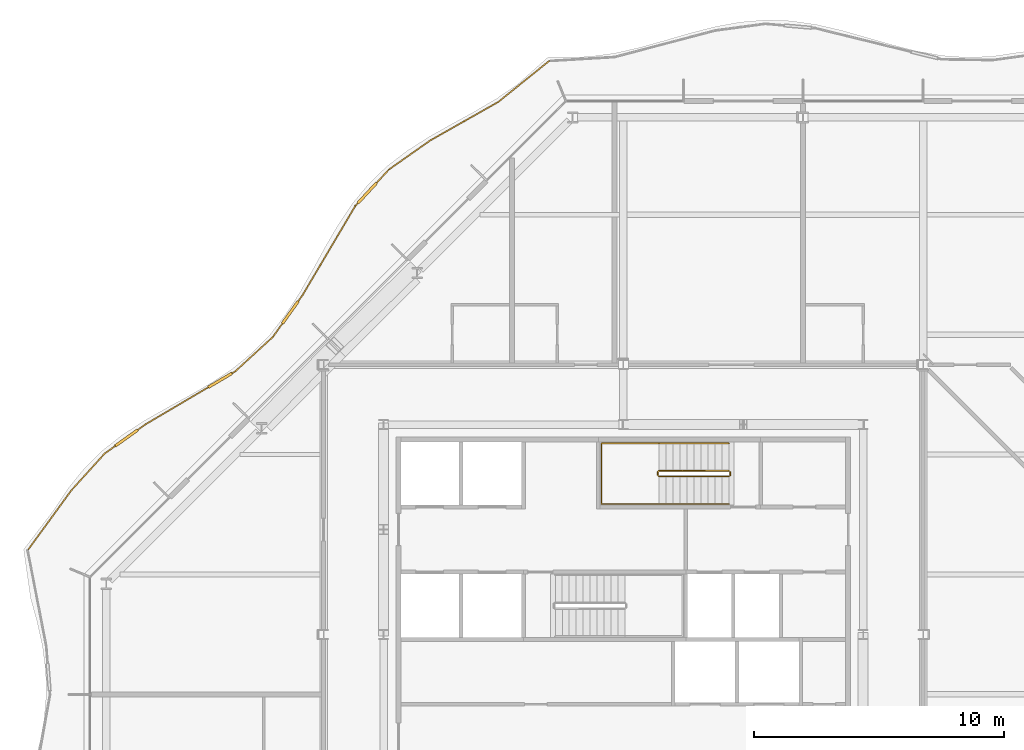
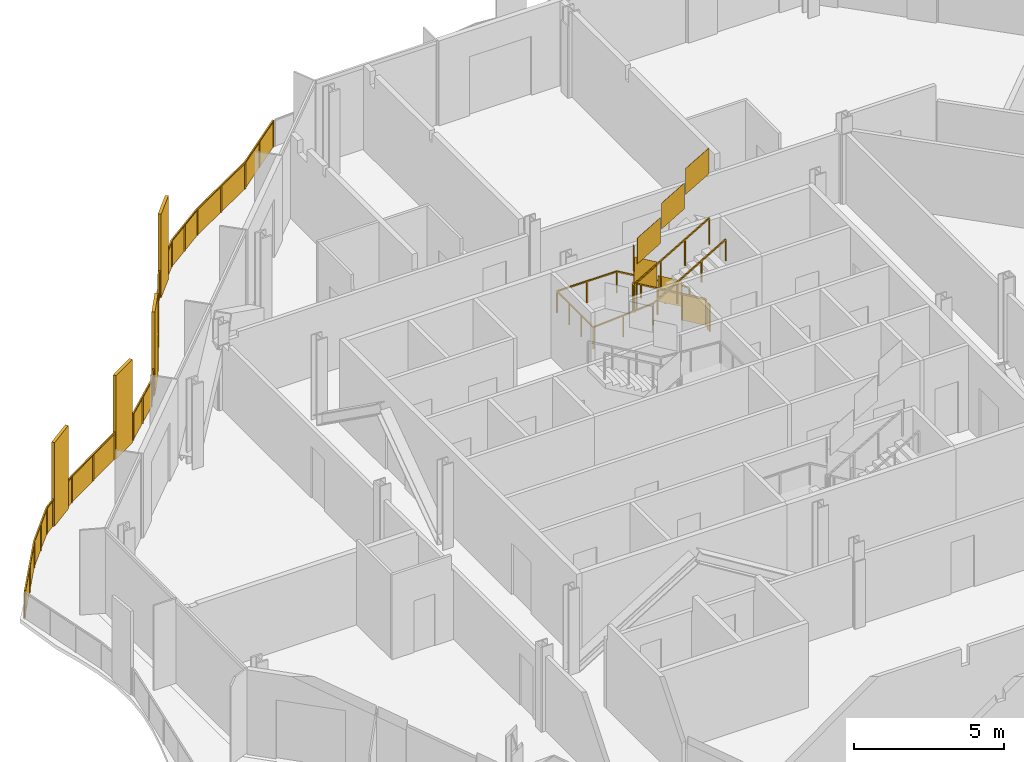
# One storey, part 16 of 17: 4 railings.
"""IFC4 building model written with IfcOpenShell, lengths in metres."""

from ifc_helpers import new_model, si_unit, direction, frame, origin, origin_2d, place, context, subcontext, project, spatial, polyline, rectangle, outline, extrude, material, type_object, element, save


model = new_model("IFC4")

# Units and contexts
model_context = context("Model", 3, precision=1e-05, world=origin(), true_north=direction((0.0, 1.0)))
body_context = subcontext(model_context, "Body", "Model", "MODEL_VIEW")
ifc_project = project(units=[si_unit("LENGTHUNIT", "METRE"), si_unit("AREAUNIT", "SQUARE_METRE"), si_unit("VOLUMEUNIT", "CUBIC_METRE"), si_unit("PLANEANGLEUNIT", "RADIAN"), si_unit("MASSUNIT", "GRAM", prefix="KILO")], contexts=[model_context])

# Site, building, storey
site_placement = place(None, origin())
site = spatial("IfcSite", under=ifc_project, at=site_placement, CompositionType="ELEMENT")
building_placement = place(site_placement, origin())
building = spatial("IfcBuilding", under=site, at=building_placement, Name="Cairn Pilgrim Tower", CompositionType="ELEMENT")
storey_placement = place(building_placement, frame((0.0, 0.0, 232.199951171875)))
storey = spatial("IfcBuildingStorey", under=building, at=storey_placement, Name="L59", CompositionType="ELEMENT", Elevation=232.199951171875)

# Railings
ifc_material_1 = material(Name="Bronze anodised aluminium rail, posts and fin screens with laminated glass infill", Category="aluminium")
railing_type_1 = type_object("IfcRailingType", Name="BALCONY GUARD WITH FIN SCREENS", PredefinedType="GUARDRAIL", material=ifc_material_1)
railing_1_placement = place(storey_placement, frame((4.233154296875, 25.358642578125, 0.0)))
element("IfcRailing", 1, at=railing_1_placement, inside=storey, type_object=railing_type_1, Name="Balcony guard BGF-6 with fin screens", PredefinedType="GUARDRAIL", context=body_context, shape_type="SweptSolid", body=[
    extrude(rectangle(XDim=0.050048828125, YDim=0.050048828125, at=origin_2d()), frame((0.0, 0.0, 1.0751953125), z_axis=(-0.778851470657, -0.627208407673, 0.0), x_axis=(0.627208407673, -0.778851470657, 0.0)), (0.0, 0.0, 1.0), 2.614501953125),
    extrude(rectangle(XDim=0.050048828125, YDim=0.050048828125, at=origin_2d()), frame((-2.036376953125, -1.639892578125, 1.0751953125), z_axis=(-0.870172445298, -0.49274731399, 0.0), x_axis=(0.49274731399, -0.870172445298, 0.0)), (0.0, 0.0, 1.0), 3.13525390625),
    extrude(rectangle(XDim=0.050048828125, YDim=0.050048828125, at=origin_2d()), frame((-4.7646484375, -3.184814453125, 1.0751953125), z_axis=(-0.817945557265, -0.575295633001, 0.0), x_axis=(0.575295633001, -0.817945557265, 0.0)), (0.0, 0.0, 1.0), 2.018310546875),
    extrude(rectangle(XDim=1.10009765625, YDim=0.110107421875, at=origin_2d()), frame((-7.284912109375, -5.286865234375, 0.0), z_axis=(0.0, 0.0, 1.0), x_axis=(-0.678643418954, -0.734467909381, 0.0)), (0.0, 0.0, 1.0), 3.39990234375),
    extrude(rectangle(XDim=0.050048828125, YDim=0.050048828125, at=origin_2d()), frame((-6.41552734375, -4.345947265625, 1.0751953125), z_axis=(-0.678643418954, -0.734467909381, 0.0), x_axis=(0.734467909381, -0.678643418954, 0.0)), (0.0, 0.0, 1.0), 0.73095703125),
    extrude(rectangle(XDim=0.050048828125, YDim=0.050048828125, at=origin_2d()), frame((-7.658203125, -5.690673828125, 1.0751953125), z_axis=(-0.678643418954, -0.734467909381, 0.0), x_axis=(0.734467909381, -0.678643418954, 0.0)), (0.0, 0.0, 1.0), 0.150146484375),
    extrude(rectangle(XDim=0.050048828125, YDim=0.050048828125, at=origin_2d()), frame((-7.760009765625, -5.801025390625, 1.0751953125), z_axis=(-0.509060811526, -0.860730556079, 0.0), x_axis=(0.860730556079, -0.509060811526, 0.0)), (0.0, 0.0, 1.0), 4.14306640625),
    extrude(rectangle(XDim=1.10009765625, YDim=0.110107421875, at=origin_2d()), frame((-10.364501953125, -10.0654296875, 0.0), z_axis=(0.0, 0.0, 1.0), x_axis=(-0.578614943113, -0.815600850665, 0.0)), (0.0, 0.0, 1.0), 3.39990234375),
    extrude(rectangle(XDim=0.050048828125, YDim=0.050048828125, at=origin_2d()), frame((-9.869140625, -9.3671875, 1.0751953125), z_axis=(-0.578614943113, -0.815600850665, 0.0), x_axis=(0.815600850665, -0.578614943113, 0.0)), (0.0, 0.0, 1.0), 0.30615234375),
    extrude(rectangle(XDim=0.050048828125, YDim=0.050048828125, at=origin_2d()), frame((-10.682861328125, -10.51416015625, 1.0751953125), z_axis=(-0.578614943113, -0.815600850665, 0.0), x_axis=(0.815600850665, -0.578614943113, 0.0)), (0.0, 0.0, 1.0), 0.65625),
    extrude(rectangle(XDim=0.050048828125, YDim=0.050048828125, at=origin_2d()), frame((-11.0625, -11.04931640625, 1.0751953125), z_axis=(-0.737807942147, -0.675010696586, 0.0), x_axis=(0.675010696586, -0.737807942147, 0.0)), (0.0, 0.0, 1.0), 2.044921875),
    extrude(rectangle(XDim=1.10009765625, YDim=0.110107421875, at=origin_2d()), frame((-13.17431640625, -12.785400390625, 0.0), z_axis=(0.0, 0.0, 1.0), x_axis=(-0.861252062109, -0.508178005735, 0.0)), (0.0, 0.0, 1.0), 3.39990234375),
    extrude(rectangle(XDim=0.050048828125, YDim=0.050048828125, at=origin_2d()), frame((-12.5712890625, -12.4296875, 1.0751953125), z_axis=(-0.861252062109, -0.508178005735, 0.0), x_axis=(0.508178005735, -0.861252062109, 0.0)), (0.0, 0.0, 1.0), 0.150146484375),
    extrude(rectangle(XDim=0.050048828125, YDim=0.050048828125, at=origin_2d()), frame((-13.64794921875, -13.06494140625, 1.0751953125), z_axis=(-0.861252062109, -0.508178005735, 0.0), x_axis=(0.508178005735, -0.861252062109, 0.0)), (0.0, 0.0, 1.0), 2.913330078125),
    extrude(rectangle(XDim=1.10009765625, YDim=0.110107421875, at=origin_2d()), frame((-16.9208984375, -15.091796875, 0.0), z_axis=(0.0, 0.0, 1.0), x_axis=(-0.813283207023, -0.581868047907, 0.0)), (0.0, 0.0, 1.0), 3.39990234375),
    extrude(rectangle(XDim=0.050048828125, YDim=0.050048828125, at=origin_2d()), frame((-16.156982421875, -14.54541015625, 1.0751953125), z_axis=(-0.813283207023, -0.581868047907, 0.0), x_axis=(0.581868047907, -0.813283207023, 0.0)), (0.0, 0.0, 1.0), 0.38916015625),
    extrude(rectangle(XDim=0.050048828125, YDim=0.050048828125, at=origin_2d()), frame((-17.3681640625, -15.411865234375, 1.0751953125), z_axis=(-0.813283207023, -0.581868047907, 0.0), x_axis=(0.581868047907, -0.813283207023, 0.0)), (0.0, 0.0, 1.0), 0.52685546875),
    extrude(rectangle(XDim=0.050048828125, YDim=0.050048828125, at=origin_2d()), frame((-17.796630859375, -15.718505859375, 1.0751953125), z_axis=(-0.671334124907, -0.741154837221, 0.0), x_axis=(0.741154837221, -0.671334124907, 0.0)), (0.0, 0.0, 1.0), 1.989501953125),
    extrude(rectangle(XDim=0.050048828125, YDim=0.050048828125, at=origin_2d()), frame((-19.13232421875, -17.193115234375, 1.0751953125), z_axis=(-0.588485630754, -0.808507676151, 0.0), x_axis=(0.808507676151, -0.588485630754, 0.0)), (0.0, 0.0, 1.0), 2.912841796875),
    extrude(rectangle(XDim=0.050048828125, YDim=0.050048828125, at=origin_2d()), origin(), (0.0, 0.0, 1.0), 1.050048828125),
    extrude(rectangle(XDim=0.050048828125, YDim=0.050048828125, at=origin_2d()), frame((-1.01806640625, -0.81982421875, 0.0)), (0.0, 0.0, 1.0), 1.050048828125),
    extrude(rectangle(XDim=0.050048828125, YDim=0.050048828125, at=origin_2d()), frame((-2.036376953125, -1.639892578125, 0.0)), (0.0, 0.0, 1.0), 1.050048828125),
    extrude(rectangle(XDim=0.050048828125, YDim=0.050048828125, at=origin_2d()), frame((-3.400390625, -2.412353515625, 0.0)), (0.0, 0.0, 1.0), 1.050048828125),
    extrude(rectangle(XDim=0.050048828125, YDim=0.050048828125, at=origin_2d()), frame((-4.7646484375, -3.184814453125, 0.0)), (0.0, 0.0, 1.0), 1.050048828125),
    extrude(rectangle(XDim=0.050048828125, YDim=0.050048828125, at=origin_2d()), frame((-5.590087890625, -3.765380859375, 0.0)), (0.0, 0.0, 1.0), 1.050048828125),
    extrude(rectangle(XDim=0.050048828125, YDim=0.050048828125, at=origin_2d()), frame((-6.41552734375, -4.345947265625, 0.0)), (0.0, 0.0, 1.0), 1.050048828125),
    extrude(rectangle(XDim=0.050048828125, YDim=0.050048828125, at=origin_2d()), frame((-6.89453125, -4.864501953125, 0.0)), (0.0, 0.0, 1.0), 1.050048828125),
    extrude(rectangle(XDim=0.050048828125, YDim=0.050048828125, at=origin_2d()), frame((-7.675048828125, -5.709228515625, 0.0)), (0.0, 0.0, 1.0), 1.050048828125),
    extrude(rectangle(XDim=0.050048828125, YDim=0.050048828125, at=origin_2d()), frame((-7.760009765625, -5.801025390625, 0.0)), (0.0, 0.0, 1.0), 1.050048828125),
    extrude(rectangle(XDim=0.050048828125, YDim=0.050048828125, at=origin_2d()), frame((-8.463134765625, -6.98974609375, 0.0)), (0.0, 0.0, 1.0), 1.050048828125),
    extrude(rectangle(XDim=0.050048828125, YDim=0.050048828125, at=origin_2d()), frame((-9.166015625, -8.178466796875, 0.0)), (0.0, 0.0, 1.0), 1.050048828125),
    extrude(rectangle(XDim=0.050048828125, YDim=0.050048828125, at=origin_2d()), frame((-9.869140625, -9.3671875, 0.0)), (0.0, 0.0, 1.0), 1.050048828125),
    extrude(rectangle(XDim=0.050048828125, YDim=0.050048828125, at=origin_2d()), frame((-10.031982421875, -9.596435546875, 0.0)), (0.0, 0.0, 1.0), 1.050048828125),
    extrude(rectangle(XDim=0.050048828125, YDim=0.050048828125, at=origin_2d()), frame((-10.697265625, -10.534423828125, 0.0)), (0.0, 0.0, 1.0), 1.050048828125),
    extrude(rectangle(XDim=0.050048828125, YDim=0.050048828125, at=origin_2d()), frame((-11.0625, -11.04931640625, 0.0)), (0.0, 0.0, 1.0), 1.050048828125),
    extrude(rectangle(XDim=0.050048828125, YDim=0.050048828125, at=origin_2d()), frame((-11.81689453125, -11.739501953125, 0.0)), (0.0, 0.0, 1.0), 1.050048828125),
    extrude(rectangle(XDim=0.050048828125, YDim=0.050048828125, at=origin_2d()), frame((-12.5712890625, -12.4296875, 0.0)), (0.0, 0.0, 1.0), 1.050048828125),
    extrude(rectangle(XDim=0.050048828125, YDim=0.050048828125, at=origin_2d()), frame((-12.678955078125, -12.4931640625, 0.0)), (0.0, 0.0, 1.0), 1.050048828125),
    extrude(rectangle(XDim=0.050048828125, YDim=0.050048828125, at=origin_2d()), frame((-13.66943359375, -13.07763671875, 0.0)), (0.0, 0.0, 1.0), 1.050048828125),
    extrude(rectangle(XDim=0.050048828125, YDim=0.050048828125, at=origin_2d()), frame((-14.913330078125, -13.8115234375, 0.0)), (0.0, 0.0, 1.0), 1.050048828125),
    extrude(rectangle(XDim=0.050048828125, YDim=0.050048828125, at=origin_2d()), frame((-16.156982421875, -14.54541015625, 0.0)), (0.0, 0.0, 1.0), 1.050048828125),
    extrude(rectangle(XDim=0.050048828125, YDim=0.050048828125, at=origin_2d()), frame((-16.453125, -14.75732421875, 0.0)), (0.0, 0.0, 1.0), 1.050048828125),
    extrude(rectangle(XDim=0.050048828125, YDim=0.050048828125, at=origin_2d()), frame((-17.388427734375, -15.426513671875, 0.0)), (0.0, 0.0, 1.0), 1.050048828125),
    extrude(rectangle(XDim=0.050048828125, YDim=0.050048828125, at=origin_2d()), frame((-17.796630859375, -15.718505859375, 0.0)), (0.0, 0.0, 1.0), 1.050048828125),
    extrude(rectangle(XDim=0.050048828125, YDim=0.050048828125, at=origin_2d()), frame((-18.46435546875, -16.455810546875, 0.0)), (0.0, 0.0, 1.0), 1.050048828125),
    extrude(rectangle(XDim=0.050048828125, YDim=0.050048828125, at=origin_2d()), frame((-19.13232421875, -17.193115234375, 0.0)), (0.0, 0.0, 1.0), 1.050048828125),
    extrude(rectangle(XDim=0.050048828125, YDim=0.050048828125, at=origin_2d()), frame((-19.9892578125, -18.37060546875, 0.0)), (0.0, 0.0, 1.0), 1.050048828125),
    extrude(rectangle(XDim=0.050048828125, YDim=0.050048828125, at=origin_2d()), frame((-20.846435546875, -19.548095703125, 0.0)), (0.0, 0.0, 1.0), 1.050048828125),
    extrude(outline(polyline([(0.02490234375, 0.0), (1.2822265625, 0.0), (1.2822265625, 1.050048828125), (0.02490234375, 1.050048828125), (0.02490234375, 0.0)])), frame((0.003662109375, -0.004638671875, 0.0), z_axis=(-0.627208407673, 0.778851470657, 0.0), x_axis=(-0.778851470657, -0.627208407673, 0.0)), (0.0, 0.0, 1.0), 0.011962890625),
    extrude(outline(polyline([(0.02490234375, 0.0), (1.2822265625, 0.0), (1.2822265625, 1.050048828125), (0.02490234375, 1.050048828125), (0.02490234375, 0.0)])), frame((-1.014404296875, -0.82470703125, 0.0), z_axis=(-0.627208407673, 0.778851470657, 0.0), x_axis=(-0.778851470657, -0.627208407673, 0.0)), (0.0, 0.0, 1.0), 0.011962890625),
    extrude(outline(polyline([(0.02490234375, 0.0), (1.542724609375, 0.0), (1.542724609375, 1.050048828125), (0.02490234375, 1.050048828125), (0.02490234375, 0.0)])), frame((-2.033447265625, -1.64501953125, 0.0), z_axis=(-0.49274731399, 0.870172445298, 0.0), x_axis=(-0.870172445298, -0.49274731399, 0.0)), (0.0, 0.0, 1.0), 0.011962890625),
    extrude(outline(polyline([(0.02490234375, 0.0), (1.542724609375, 0.0), (1.542724609375, 1.050048828125), (0.02490234375, 1.050048828125), (0.02490234375, 0.0)])), frame((-3.3974609375, -2.41748046875, 0.0), z_axis=(-0.49274731399, 0.870172445298, 0.0), x_axis=(-0.870172445298, -0.49274731399, 0.0)), (0.0, 0.0, 1.0), 0.011962890625),
    extrude(outline(polyline([(0.02490234375, 0.0), (0.984130859375, 0.0), (0.984130859375, 1.050048828125), (0.02490234375, 1.050048828125), (0.02490234375, 0.0)])), frame((-4.76123046875, -3.189697265625, 0.0), z_axis=(-0.575295633001, 0.817945557265, 0.0), x_axis=(-0.817945557265, -0.575295633001, 0.0)), (0.0, 0.0, 1.0), 0.011962890625),
    extrude(outline(polyline([(0.02490234375, 0.0), (0.984130859375, 0.0), (0.984130859375, 1.050048828125), (0.02490234375, 1.050048828125), (0.02490234375, 0.0)])), frame((-5.586669921875, -3.770263671875, 0.0), z_axis=(-0.575295633001, 0.817945557265, 0.0), x_axis=(-0.817945557265, -0.575295633001, 0.0)), (0.0, 0.0, 1.0), 0.011962890625),
    extrude(outline(polyline([(0.02490234375, 0.0), (0.680908203125, 0.0), (0.680908203125, 1.050048828125), (0.02490234375, 1.050048828125), (0.02490234375, 0.0)])), frame((-6.4111328125, -4.35009765625, 0.0), z_axis=(-0.734467909381, 0.678643418954, 0.0), x_axis=(-0.678643418954, -0.734467909381, 0.0)), (0.0, 0.0, 1.0), 0.011962890625),
    extrude(outline(polyline([(0.02490234375, 0.0), (0.10009765625, 0.0), (0.10009765625, 1.050048828125), (0.02490234375, 1.050048828125), (0.02490234375, 0.0)])), frame((-7.670654296875, -5.713134765625, 0.0), z_axis=(-0.734467909381, 0.678643418954, 0.0), x_axis=(-0.678643418954, -0.734467909381, 0.0)), (0.0, 0.0, 1.0), 0.011962890625),
    extrude(outline(polyline([(0.02490234375, 0.0), (1.35595703125, 0.0), (1.35595703125, 1.050048828125), (0.02490234375, 1.050048828125), (0.02490234375, 0.0)])), frame((-7.7548828125, -5.803955078125, 0.0), z_axis=(-0.860730556079, 0.509060811526, 0.0), x_axis=(-0.509060811526, -0.860730556079, 0.0)), (0.0, 0.0, 1.0), 0.011962890625),
    extrude(outline(polyline([(0.02490234375, 0.0), (1.35595703125, 0.0), (1.35595703125, 1.050048828125), (0.02490234375, 1.050048828125), (0.02490234375, 0.0)])), frame((-8.4580078125, -6.99267578125, 0.0), z_axis=(-0.860730556079, 0.509060811526, 0.0), x_axis=(-0.509060811526, -0.860730556079, 0.0)), (0.0, 0.0, 1.0), 0.011962890625),
    extrude(outline(polyline([(0.02490234375, 0.0), (1.35595703125, 0.0), (1.35595703125, 1.050048828125), (0.02490234375, 1.050048828125), (0.02490234375, 0.0)])), frame((-9.160888671875, -8.181396484375, 0.0), z_axis=(-0.860730556079, 0.509060811526, 0.0), x_axis=(-0.509060811526, -0.860730556079, 0.0)), (0.0, 0.0, 1.0), 0.011962890625),
    extrude(outline(polyline([(0.02490234375, 0.0), (0.256103515625, 0.0), (0.256103515625, 1.050048828125), (0.02490234375, 1.050048828125), (0.02490234375, 0.0)])), frame((-9.8642578125, -9.37060546875, 0.0), z_axis=(-0.815600850665, 0.578614943113, 0.0), x_axis=(-0.578614943113, -0.815600850665, 0.0)), (0.0, 0.0, 1.0), 0.011962890625),
    extrude(outline(polyline([(0.02490234375, 0.0), (0.606201171875, 0.0), (0.606201171875, 1.050048828125), (0.02490234375, 1.050048828125), (0.02490234375, 0.0)])), frame((-10.6923828125, -10.5380859375, 0.0), z_axis=(-0.815600850665, 0.578614943113, 0.0), x_axis=(-0.578614943113, -0.815600850665, 0.0)), (0.0, 0.0, 1.0), 0.011962890625),
    extrude(outline(polyline([(0.02490234375, 0.0), (0.99755859375, 0.0), (0.99755859375, 1.050048828125), (0.02490234375, 1.050048828125), (0.02490234375, 0.0)])), frame((-11.058349609375, -11.0537109375, 0.0), z_axis=(-0.675010696586, 0.737807942147, 0.0), x_axis=(-0.737807942147, -0.675010696586, 0.0)), (0.0, 0.0, 1.0), 0.011962890625),
    extrude(outline(polyline([(0.02490234375, 0.0), (0.99755859375, 0.0), (0.99755859375, 1.050048828125), (0.02490234375, 1.050048828125), (0.02490234375, 0.0)])), frame((-11.812744140625, -11.743896484375, 0.0), z_axis=(-0.675010696586, 0.737807942147, 0.0), x_axis=(-0.737807942147, -0.675010696586, 0.0)), (0.0, 0.0, 1.0), 0.011962890625),
    extrude(outline(polyline([(0.02490234375, 0.0), (0.10009765625, 0.0), (0.10009765625, 1.050048828125), (0.02490234375, 1.050048828125), (0.02490234375, 0.0)])), frame((-12.568359375, -12.434814453125, 0.0), z_axis=(-0.508178005735, 0.861252062109, 0.0), x_axis=(-0.861252062109, -0.508178005735, 0.0)), (0.0, 0.0, 1.0), 0.011962890625),
    extrude(outline(polyline([(0.02490234375, 0.0), (1.419189453125, 0.0), (1.419189453125, 1.050048828125), (0.02490234375, 1.050048828125), (0.02490234375, 0.0)])), frame((-13.66650390625, -13.082763671875, 0.0), z_axis=(-0.508178005735, 0.861252062109, 0.0), x_axis=(-0.861252062109, -0.508178005735, 0.0)), (0.0, 0.0, 1.0), 0.011962890625),
    extrude(outline(polyline([(0.02490234375, 0.0), (1.419189453125, 0.0), (1.419189453125, 1.050048828125), (0.02490234375, 1.050048828125), (0.02490234375, 0.0)])), frame((-14.91015625, -13.816650390625, 0.0), z_axis=(-0.508178005735, 0.861252062109, 0.0), x_axis=(-0.861252062109, -0.508178005735, 0.0)), (0.0, 0.0, 1.0), 0.011962890625),
    extrude(outline(polyline([(0.02490234375, 0.0), (0.339111328125, 0.0), (0.339111328125, 1.050048828125), (0.02490234375, 1.050048828125), (0.02490234375, 0.0)])), frame((-16.153564453125, -14.55029296875, 0.0), z_axis=(-0.581868047907, 0.813283207023, 0.0), x_axis=(-0.813283207023, -0.581868047907, 0.0)), (0.0, 0.0, 1.0), 0.011962890625),
    extrude(outline(polyline([(0.02490234375, 0.0), (0.476806640625, 0.0), (0.476806640625, 1.050048828125), (0.02490234375, 1.050048828125), (0.02490234375, 0.0)])), frame((-17.385009765625, -15.431396484375, 0.0), z_axis=(-0.581868047907, 0.813283207023, 0.0), x_axis=(-0.813283207023, -0.581868047907, 0.0)), (0.0, 0.0, 1.0), 0.011962890625),
    extrude(outline(polyline([(0.02490234375, 0.0), (0.9697265625, 0.0), (0.9697265625, 1.050048828125), (0.02490234375, 1.050048828125), (0.02490234375, 0.0)])), frame((-17.792236328125, -15.722412109375, 0.0), z_axis=(-0.741154837221, 0.671334124907, 0.0), x_axis=(-0.671334124907, -0.741154837221, 0.0)), (0.0, 0.0, 1.0), 0.011962890625),
    extrude(outline(polyline([(0.02490234375, 0.0), (0.9697265625, 0.0), (0.9697265625, 1.050048828125), (0.02490234375, 1.050048828125), (0.02490234375, 0.0)])), frame((-18.4599609375, -16.459716796875, 0.0), z_axis=(-0.741154837221, 0.671334124907, 0.0), x_axis=(-0.671334124907, -0.741154837221, 0.0)), (0.0, 0.0, 1.0), 0.011962890625),
    extrude(outline(polyline([(0.02490234375, 0.0), (1.431396484375, 0.0), (1.431396484375, 1.050048828125), (0.02490234375, 1.050048828125), (0.02490234375, 0.0)])), frame((-19.12744140625, -17.196533203125, 0.0), z_axis=(-0.808507676151, 0.588485630754, 0.0), x_axis=(-0.588485630754, -0.808507676151, 0.0)), (0.0, 0.0, 1.0), 0.011962890625),
    extrude(outline(polyline([(0.02490234375, 0.0), (1.431396484375, 0.0), (1.431396484375, 1.050048828125), (0.02490234375, 1.050048828125), (0.02490234375, 0.0)])), frame((-19.984619140625, -18.3740234375, 0.0), z_axis=(-0.808507676151, 0.588485630754, 0.0), x_axis=(-0.588485630754, -0.808507676151, 0.0)), (0.0, 0.0, 1.0), 0.011962890625),
])
ifc_material_2 = material(Name="Painted steel", Category="steel")
railing_type_2 = type_object("IfcRailingType", Name="STAIR GUARD 1100", PredefinedType="GUARDRAIL", material=ifc_material_2)
railing_2_placement = place(storey_placement, frame((11.425048828125, 8.949951171875, 0.16357421875)))
element("IfcRailing", 2, at=railing_2_placement, inside=storey, type_object=railing_type_2, Name="L59 ST-C stair guard 1", PredefinedType="GUARDRAIL", context=body_context, shape_type="SweptSolid", body=[
    extrude(rectangle(XDim=0.048095703125, YDim=0.048095703125, at=origin_2d()), frame((0.0, 0.0, 1.076171875), z_axis=(-0.863360870873, 0.0, 0.504586966384), x_axis=(0.0, -1.0, 0.0)), (0.0, 0.0, 1.0), 3.2431640625),
    extrude(rectangle(XDim=0.048095703125, YDim=0.048095703125, at=origin_2d()), frame((-2.800048828125, 0.0, 2.71240234375), z_axis=(-0.707106781187, -0.707106781187, 0.0), x_axis=(0.707106781187, -0.707106781187, 0.0)), (0.0, 0.0, 1.0), 0.07080078125),
    extrude(rectangle(XDim=0.048095703125, YDim=0.048095703125, at=origin_2d()), frame((-2.85009765625, -0.050048828125, 2.71240234375), z_axis=(0.0, -1.0, 0.0), x_axis=(1.0, 0.0, 0.0)), (0.0, 0.0, 1.0), 0.125),
    extrude(rectangle(XDim=0.048095703125, YDim=0.048095703125, at=origin_2d()), frame((-2.85009765625, -0.175048828125, 2.71240234375), z_axis=(0.280916556609, -0.279546231943, 0.91811752648), x_axis=(0.705375805398, 0.708833529934, 0.0)), (0.0, 0.0, 1.0), 0.17822265625),
    extrude(rectangle(XDim=0.048095703125, YDim=0.048095703125, at=origin_2d()), frame((-2.800048828125, -0.224853515625, 2.8759765625), z_axis=(0.863360870873, 0.0, 0.504586966384), x_axis=(0.0, 1.0, 0.0)), (0.0, 0.0, 1.0), 3.2431640625),
    extrude(rectangle(XDim=0.0419921875, YDim=0.0419921875, at=origin_2d()), origin(), (0.0, 0.0, 1.0), 1.052001953125),
    extrude(rectangle(XDim=0.0419921875, YDim=0.0419921875, at=origin_2d()), frame((-0.933349609375, 0.0, 0.54541015625)), (0.0, 0.0, 1.0), 1.052001953125),
    extrude(rectangle(XDim=0.0419921875, YDim=0.0419921875, at=origin_2d()), frame((-1.86669921875, 0.0, 1.091064453125)), (0.0, 0.0, 1.0), 1.052001953125),
    extrude(rectangle(XDim=0.0419921875, YDim=0.0419921875, at=origin_2d()), frame((-2.800048828125, 0.0, 1.636474609375)), (0.0, 0.0, 1.0), 1.052001953125),
    extrude(rectangle(XDim=0.0419921875, YDim=0.0419921875, at=origin_2d()), frame((-2.85009765625, -0.050048828125, 1.636474609375)), (0.0, 0.0, 1.0), 1.052001953125),
    extrude(rectangle(XDim=0.0419921875, YDim=0.0419921875, at=origin_2d()), frame((-2.85009765625, -0.175048828125, 1.636474609375)), (0.0, 0.0, 1.0), 1.052001953125),
    extrude(rectangle(XDim=0.0419921875, YDim=0.0419921875, at=origin_2d()), frame((-2.800048828125, -0.224853515625, 1.800048828125)), (0.0, 0.0, 1.0), 1.052001953125),
    extrude(rectangle(XDim=0.0419921875, YDim=0.0419921875, at=origin_2d()), frame((-1.86669921875, -0.224853515625, 2.345458984375)), (0.0, 0.0, 1.0), 1.052001953125),
    extrude(rectangle(XDim=0.0419921875, YDim=0.0419921875, at=origin_2d()), frame((-0.933349609375, -0.224853515625, 2.89111328125)), (0.0, 0.0, 1.0), 1.052001953125),
    extrude(rectangle(XDim=0.0419921875, YDim=0.0419921875, at=origin_2d()), frame((0.0, -0.224853515625, 3.4365234375)), (0.0, 0.0, 1.0), 1.052001953125),
    extrude(outline(polyline([(0.02099609375, 0.01220703125), (0.912353515625, 0.533203125), (0.912353515625, 1.585205078125), (0.02099609375, 1.064208984375), (0.02099609375, 0.01220703125)])), frame((0.0, -0.005859375, 0.0), z_axis=(0.0, 1.0, 0.0), x_axis=(-1.0, 0.0, 0.0)), (0.0, 0.0, 1.0), 0.011962890625),
    extrude(outline(polyline([(0.02099609375, 0.557861328125), (0.912353515625, 1.07861328125), (0.912353515625, 2.130615234375), (0.02099609375, 1.60986328125), (0.02099609375, 0.557861328125)])), frame((-0.933349609375, -0.005859375, 0.54541015625), z_axis=(0.0, 1.0, 0.0), x_axis=(-1.0, 0.0, 0.0)), (0.0, 0.0, 1.0), 0.011962890625),
    extrude(outline(polyline([(0.02099609375, 1.103271484375), (0.912353515625, 1.624267578125), (0.912353515625, 2.67626953125), (0.02099609375, 2.1552734375), (0.02099609375, 1.103271484375)])), frame((-1.86669921875, -0.005859375, 1.091064453125), z_axis=(0.0, 1.0, 0.0), x_axis=(-1.0, 0.0, 0.0)), (0.0, 0.0, 1.0), 0.011962890625),
    extrude(outline(polyline([(0.02099609375, 1.636474609375), (0.10400390625, 1.636474609375), (0.10400390625, 2.6884765625), (0.02099609375, 2.6884765625), (0.02099609375, 1.636474609375)])), frame((-2.84423828125, -0.050048828125, 1.636474609375), z_axis=(-1.0, 0.0, 0.0), x_axis=(0.0, -1.0, 0.0)), (0.0, 0.0, 1.0), 0.011962890625),
    extrude(outline(polyline([(0.02099609375, 1.812255859375), (0.912353515625, 2.333251953125), (0.912353515625, 3.38525390625), (0.02099609375, 2.8642578125), (0.02099609375, 1.812255859375)])), frame((-2.800048828125, -0.21875, 1.800048828125), z_axis=(0.0, -1.0, 0.0), x_axis=(1.0, 0.0, 0.0)), (0.0, 0.0, 1.0), 0.011962890625),
    extrude(outline(polyline([(0.02099609375, 2.35791015625), (0.912353515625, 2.878662109375), (0.912353515625, 3.9306640625), (0.02099609375, 3.409912109375), (0.02099609375, 2.35791015625)])), frame((-1.86669921875, -0.21875, 2.345458984375), z_axis=(0.0, -1.0, 0.0), x_axis=(1.0, 0.0, 0.0)), (0.0, 0.0, 1.0), 0.011962890625),
    extrude(outline(polyline([(0.02099609375, 2.9033203125), (0.912353515625, 3.42431640625), (0.912353515625, 4.476318359375), (0.02099609375, 3.955322265625), (0.02099609375, 2.9033203125)])), frame((-0.933349609375, -0.21875, 2.89111328125), z_axis=(0.0, -1.0, 0.0), x_axis=(1.0, 0.0, 0.0)), (0.0, 0.0, 1.0), 0.011962890625),
])
railing_3_placement = place(storey_placement, frame((11.47509765625, 8.89990234375, 0.0)))
element("IfcRailing", 3, at=railing_3_placement, inside=storey, type_object=railing_type_2, Name="L59 ST-C stair guard 2", PredefinedType="GUARDRAIL", context=body_context, shape_type="SweptSolid", body=[
    extrude(rectangle(XDim=0.048095703125, YDim=0.048095703125, at=origin_2d()), frame((0.0, 0.0, 1.076171875), z_axis=(0.0, -1.0, 0.0), x_axis=(1.0, 0.0, 0.0)), (0.0, 0.0, 1.0), 0.125),
    extrude(rectangle(XDim=0.0419921875, YDim=0.0419921875, at=origin_2d()), origin(), (0.0, 0.0, 1.0), 1.052001953125),
    extrude(rectangle(XDim=0.0419921875, YDim=0.0419921875, at=origin_2d()), frame((0.0, -0.125, 0.0)), (0.0, 0.0, 1.0), 1.052001953125),
    extrude(outline(polyline([(0.02099609375, 0.0), (0.10400390625, 0.0), (0.10400390625, 1.052001953125), (0.02099609375, 1.052001953125), (0.02099609375, 0.0)])), frame((0.005859375, 0.0, 0.0), z_axis=(-1.0, 0.0, 0.0), x_axis=(0.0, -1.0, 0.0)), (0.0, 0.0, 1.0), 0.011962890625),
])
railing_type_3 = type_object("IfcRailingType", Name="STAIR HANDRAIL 900", PredefinedType="HANDRAIL", material=ifc_material_2)
railing_4_placement = place(storey_placement, frame((11.425048828125, 10.050048828125, 0.16357421875)))
element("IfcRailing", 4, at=railing_4_placement, inside=storey, type_object=railing_type_3, Name="L59 ST-C stair handrail 1", PredefinedType="HANDRAIL", context=body_context, shape_type="SweptSolid", body=[
    extrude(rectangle(XDim=0.048095703125, YDim=0.048095703125, at=origin_2d()), frame((0.0, 0.0, 0.8759765625), z_axis=(-0.863360870873, 0.0, 0.504586966384), x_axis=(0.0, -1.0, 0.0)), (0.0, 0.0, 1.0), 3.2431640625),
    extrude(rectangle(XDim=0.048095703125, YDim=0.048095703125, at=origin_2d()), frame((-2.800048828125, 0.0, 2.51220703125), z_axis=(-1.0, 0.0, 0.0), x_axis=(0.0, -1.0, 0.0)), (0.0, 0.0, 1.0), 2.300048828125),
    extrude(rectangle(XDim=0.048095703125, YDim=0.048095703125, at=origin_2d()), frame((-5.10009765625, 0.0, 2.51220703125), z_axis=(0.0, -1.0, 0.0), x_axis=(1.0, 0.0, 0.0)), (0.0, 0.0, 1.0), 2.425048828125),
    extrude(rectangle(XDim=0.048095703125, YDim=0.048095703125, at=origin_2d()), frame((-5.10009765625, -2.425048828125, 2.51220703125), z_axis=(0.997480687736, 0.0, 0.070938548008), x_axis=(0.0, 1.0, 0.0)), (0.0, 0.0, 1.0), 2.305908203125),
    extrude(rectangle(XDim=0.048095703125, YDim=0.048095703125, at=origin_2d()), frame((-2.800048828125, -2.425048828125, 2.67578125), z_axis=(0.863360870873, 0.0, 0.504586966384), x_axis=(0.0, 1.0, 0.0)), (0.0, 0.0, 1.0), 3.2431640625),
    extrude(rectangle(XDim=0.0419921875, YDim=0.0419921875, at=origin_2d()), origin(), (0.0, 0.0, 1.0), 0.851806640625),
    extrude(rectangle(XDim=0.0419921875, YDim=0.0419921875, at=origin_2d()), frame((-0.933349609375, 0.0, 0.54541015625)), (0.0, 0.0, 1.0), 0.851806640625),
    extrude(rectangle(XDim=0.0419921875, YDim=0.0419921875, at=origin_2d()), frame((-1.86669921875, 0.0, 1.091064453125)), (0.0, 0.0, 1.0), 0.851806640625),
    extrude(rectangle(XDim=0.0419921875, YDim=0.0419921875, at=origin_2d()), frame((-2.800048828125, 0.0, 1.636474609375)), (0.0, 0.0, 1.0), 0.851806640625),
    extrude(rectangle(XDim=0.0419921875, YDim=0.0419921875, at=origin_2d()), frame((-3.9501953125, 0.0, 1.636474609375)), (0.0, 0.0, 1.0), 0.851806640625),
    extrude(rectangle(XDim=0.0419921875, YDim=0.0419921875, at=origin_2d()), frame((-5.10009765625, 0.0, 1.636474609375)), (0.0, 0.0, 1.0), 0.851806640625),
    extrude(rectangle(XDim=0.0419921875, YDim=0.0419921875, at=origin_2d()), frame((-5.10009765625, -0.808349609375, 1.636474609375)), (0.0, 0.0, 1.0), 0.851806640625),
    extrude(rectangle(XDim=0.0419921875, YDim=0.0419921875, at=origin_2d()), frame((-5.10009765625, -1.61669921875, 1.636474609375)), (0.0, 0.0, 1.0), 0.851806640625),
    extrude(rectangle(XDim=0.0419921875, YDim=0.0419921875, at=origin_2d()), frame((-5.10009765625, -2.425048828125, 1.636474609375)), (0.0, 0.0, 1.0), 0.851806640625),
    extrude(rectangle(XDim=0.0419921875, YDim=0.0419921875, at=origin_2d()), frame((-3.9501953125, -2.425048828125, 1.71826171875)), (0.0, 0.0, 1.0), 0.851806640625),
    extrude(rectangle(XDim=0.0419921875, YDim=0.0419921875, at=origin_2d()), frame((-2.800048828125, -2.425048828125, 1.800048828125)), (0.0, 0.0, 1.0), 0.851806640625),
    extrude(rectangle(XDim=0.0419921875, YDim=0.0419921875, at=origin_2d()), frame((-1.86669921875, -2.425048828125, 2.345458984375)), (0.0, 0.0, 1.0), 0.851806640625),
    extrude(rectangle(XDim=0.0419921875, YDim=0.0419921875, at=origin_2d()), frame((-0.933349609375, -2.425048828125, 2.89111328125)), (0.0, 0.0, 1.0), 0.851806640625),
    extrude(rectangle(XDim=0.0419921875, YDim=0.0419921875, at=origin_2d()), frame((0.0, -2.425048828125, 3.4365234375)), (0.0, 0.0, 1.0), 0.851806640625),
])

save(model, "model.ifc")
